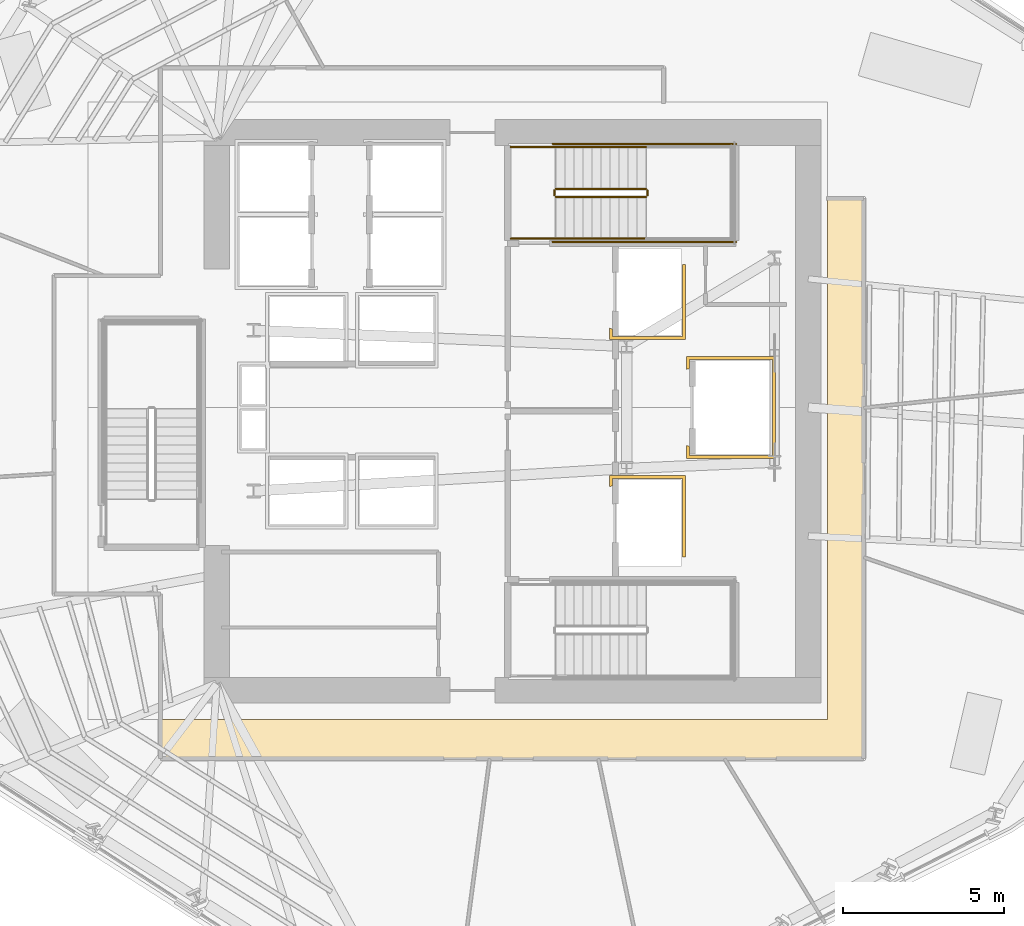
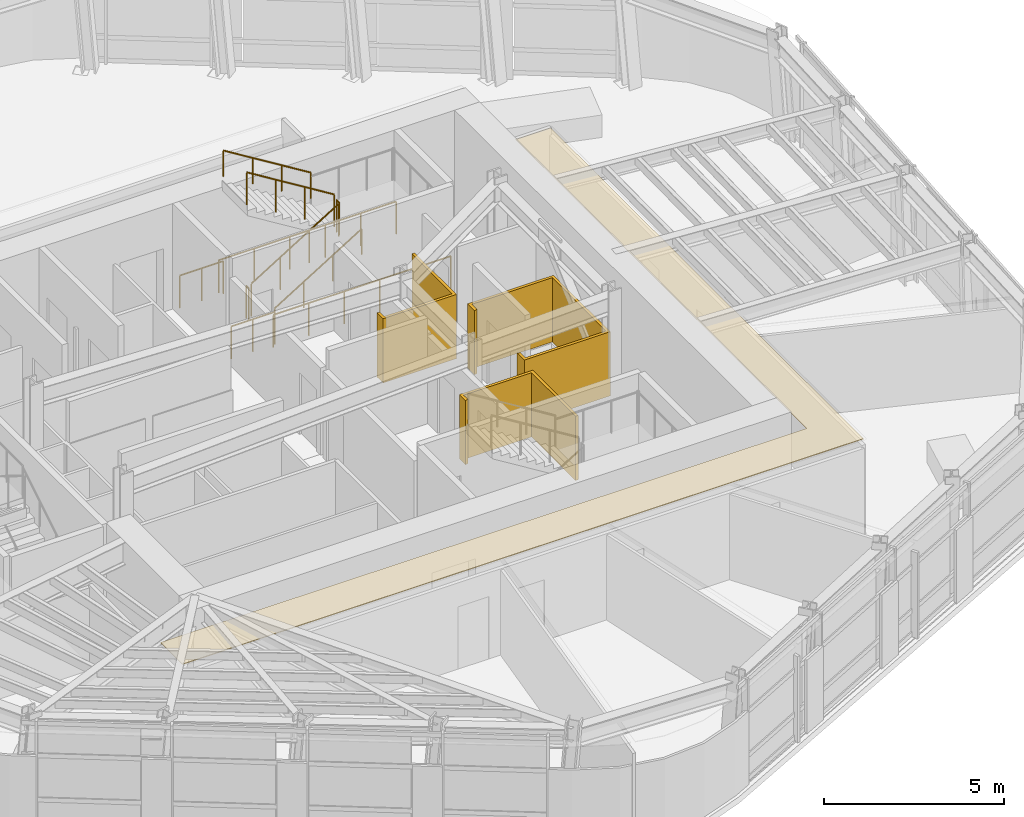
# One storey, part 12 of 14: 10 railings, 4 coverings.
"""IFC4 building model written with IfcOpenShell, lengths in metres."""

from ifc_helpers import new_model, si_unit, direction, frame, origin, origin_2d, place, context, subcontext, project, spatial, polyline, circle, outline, extrude, material, layer, layer_set, type_object, element, save


model = new_model("IFC4")

# Units and contexts
model_context = context("Model", 3, precision=1e-05, world=origin(), true_north=direction((0.0, 1.0)))
body_context = subcontext(model_context, "Body", "Model", "MODEL_VIEW")
ifc_project = project(units=[si_unit("LENGTHUNIT", "METRE"), si_unit("AREAUNIT", "SQUARE_METRE"), si_unit("VOLUMEUNIT", "CUBIC_METRE"), si_unit("PLANEANGLEUNIT", "RADIAN"), si_unit("MASSUNIT", "GRAM", prefix="KILO")], contexts=[model_context])

# Site, building, storey
site_placement = place(None, origin())
site = spatial("IfcSite", under=ifc_project, at=site_placement, CompositionType="ELEMENT")
building_placement = place(site_placement, origin())
building = spatial("IfcBuilding", under=site, at=building_placement, Name="Valkerne Bourse Tower", CompositionType="ELEMENT")
storey_placement = place(building_placement, frame((0.0, 0.0, 140.0)))
storey = spatial("IfcBuildingStorey", under=building, at=storey_placement, Name="L35", CompositionType="ELEMENT", Elevation=140.0)

# Coverings
ifc_material_1 = material(Name="Bronze Anodised Aluminium AA 6063-T6", Category="aluminium")
ifc_layer_1 = layer(ifc_material_1, 0.030029296875)
ifc_layer_set_1 = layer_set([ifc_layer_1], Name="Bronze Anodised Aluminium AA 6063-T6")
covering_type_1 = type_object("IfcCoveringType", Name="COV-CEIL-METAL", PredefinedType="CEILING", material=ifc_layer_set_1)
covering_1_placement = place(storey_placement, frame((0.0, 0.0, 3.22998046875)))
element("IfcCovering", 1, at=covering_1_placement, inside=storey, type_object=covering_type_1, Name="L35 Suspended Ceiling 01", PredefinedType="CEILING", context=body_context, shape_type="SweptSolid", body=[
    extrude(outline(polyline([(35.85400390625, 17.300048828125), (56.60009765625, 17.300048828125), (56.60009765625, 33.49609375), (57.716064453125, 33.49609375), (57.716064453125, 16.083984375), (35.85400390625, 16.083984375), (35.85400390625, 17.300048828125)])), origin(), (0.0, 0.0, 1.0), 0.02490234375),
])
ifc_material_2 = material(Name="Gypsum Shaftwall Liner Board", Category="gypsum")
ifc_layer_2 = layer(ifc_material_2, 0.080078125)
ifc_layer_set_2 = layer_set([ifc_layer_2], Name="Gypsum Shaftwall Liner Board")
covering_type_2 = type_object("IfcCoveringType", Name="COV-SHF-CLAD", PredefinedType="CLADDING", material=ifc_layer_set_2)
covering_2_placement = place(storey_placement, origin())
element("IfcCovering", 2, at=covering_2_placement, inside=storey, type_object=covering_type_2, Name="L35 Hoistway & Riser Shaftwall Liner 05", PredefinedType="CLADDING", context=body_context, shape_type="SweptSolid", body=[
    extrude(outline(polyline([(52.179931640625, 22.35009765625), (52.090087890625, 22.35009765625), (52.090087890625, 24.7900390625), (49.909912109375, 24.7900390625), (49.909912109375, 24.560791015625), (49.869384765625, 24.550537109375), (49.827880859375, 24.53564453125), (49.820068359375, 24.531982421875), (49.820068359375, 24.8798828125), (52.179931640625, 24.8798828125), (52.179931640625, 22.35009765625)])), origin(), (0.0, 0.0, 1.0), 2.179931640625),
])
covering_3_placement = place(storey_placement, origin())
element("IfcCovering", 3, at=covering_3_placement, inside=storey, type_object=covering_type_2, Name="L35 Hoistway & Riser Shaftwall Liner 06", PredefinedType="CLADDING", context=body_context, shape_type="SweptSolid", body=[
    extrude(outline(polyline([(54.97998046875, 25.419921875), (52.219970703125, 25.419921875), (52.219970703125, 25.81787109375), (52.227783203125, 25.814208984375), (52.269287109375, 25.79931640625), (52.31005859375, 25.789306640625), (52.31005859375, 25.510009765625), (54.889892578125, 25.510009765625), (54.889892578125, 28.489990234375), (52.31005859375, 28.489990234375), (52.31005859375, 28.210693359375), (52.269287109375, 28.20068359375), (52.227783203125, 28.185791015625), (52.219970703125, 28.18212890625), (52.219970703125, 28.580078125), (54.97998046875, 28.580078125), (54.97998046875, 25.419921875)])), origin(), (0.0, 0.0, 1.0), 2.179931640625),
])
covering_4_placement = place(storey_placement, origin())
element("IfcCovering", 4, at=covering_4_placement, inside=storey, type_object=covering_type_2, Name="L35 Hoistway & Riser Shaftwall Liner 08", PredefinedType="CLADDING", context=body_context, shape_type="SweptSolid", body=[
    extrude(outline(polyline([(49.820068359375, 29.1201171875), (49.820068359375, 29.468017578125), (49.827880859375, 29.46435546875), (49.869384765625, 29.449462890625), (49.909912109375, 29.439208984375), (49.909912109375, 29.2099609375), (52.090087890625, 29.2099609375), (52.090087890625, 31.449951171875), (52.179931640625, 31.449951171875), (52.179931640625, 29.1201171875), (49.820068359375, 29.1201171875)])), origin(), (0.0, 0.0, 1.0), 2.179931640625),
])

# Railings
ifc_material_3 = material(Name="Galvanised Painted Steel", Category="steel")
railing_type_1 = type_object("IfcRailingType", Name="RLG-ST-GUARD-1120", PredefinedType="GUARDRAIL", material=ifc_material_3)
railing_1_placement = place(storey_placement, frame((48.14990234375, 33.550048828125, 0.172607421875)))
element("IfcRailing", 5, at=railing_1_placement, inside=storey, type_object=railing_type_1, Name="L35 ST-2 stair guard 1", PredefinedType="GUARDRAIL", context=body_context, shape_type="SweptSolid", body=[
    extrude(circle(Radius=0.02392578125, at=origin_2d()), frame((0.0, 0.0, 1.09619140625), z_axis=(0.851089632645, 0.0, 0.525020415988), x_axis=(0.0, 1.0, 0.0)), (0.0, 0.0, 1.0), 3.2900390625),
    extrude(circle(Radius=0.02099609375, at=origin_2d()), origin(), (0.0, 0.0, 1.0), 1.072021484375),
    extrude(circle(Radius=0.02099609375, at=origin_2d()), frame((0.933349609375, 0.0, 0.57568359375)), (0.0, 0.0, 1.0), 1.072021484375),
    extrude(circle(Radius=0.02099609375, at=origin_2d()), frame((1.86669921875, 0.0, 1.151611328125)), (0.0, 0.0, 1.0), 1.072021484375),
    extrude(circle(Radius=0.02099609375, at=origin_2d()), frame((2.800048828125, 0.0, 1.727294921875)), (0.0, 0.0, 1.0), 1.072021484375),
])
railing_2_placement = place(storey_placement, frame((51.0, 33.60009765625, 1.89990234375)))
element("IfcRailing", 6, at=railing_2_placement, inside=storey, type_object=railing_type_1, Name="L35 ST-2 stair guard 2", PredefinedType="GUARDRAIL", context=body_context, shape_type="SweptSolid", body=[
    extrude(circle(Radius=0.02392578125, at=origin_2d()), frame((0.0, 0.0, 1.09619140625), z_axis=(0.0, 1.0, 0.0), x_axis=(-1.0, 0.0, 0.0)), (0.0, 0.0, 1.0), 0.14990234375),
    extrude(circle(Radius=0.02099609375, at=origin_2d()), origin(), (0.0, 0.0, 1.0), 1.072021484375),
    extrude(circle(Radius=0.02099609375, at=origin_2d()), frame((0.0, 0.14990234375, 0.0)), (0.0, 0.0, 1.0), 1.072021484375),
])
railing_3_placement = place(storey_placement, frame((50.949951171875, 33.800048828125, 2.07275390625)))
element("IfcRailing", 7, at=railing_3_placement, inside=storey, type_object=railing_type_1, Name="L35 ST-2 stair guard 6", PredefinedType="GUARDRAIL", context=body_context, shape_type="SweptSolid", body=[
    extrude(circle(Radius=0.02392578125, at=origin_2d()), frame((0.0, 0.0, 1.09619140625), z_axis=(-0.851089632645, 0.0, 0.525020415988), x_axis=(0.0, -1.0, 0.0)), (0.0, 0.0, 1.0), 3.2900390625),
    extrude(circle(Radius=0.02099609375, at=origin_2d()), origin(), (0.0, 0.0, 1.0), 1.072021484375),
    extrude(circle(Radius=0.02099609375, at=origin_2d()), frame((-0.933349609375, 0.0, 0.57568359375)), (0.0, 0.0, 1.0), 1.072021484375),
    extrude(circle(Radius=0.02099609375, at=origin_2d()), frame((-1.86669921875, 0.0, 1.151611328125)), (0.0, 0.0, 1.0), 1.072021484375),
    extrude(circle(Radius=0.02099609375, at=origin_2d()), frame((-2.800048828125, 0.0, 1.727294921875)), (0.0, 0.0, 1.0), 1.072021484375),
])
railing_4_placement = place(storey_placement, frame((48.10009765625, 33.60009765625, 0.0)))
element("IfcRailing", 8, at=railing_4_placement, inside=storey, type_object=railing_type_1, Name="L35 ST-2 stair guard 7", PredefinedType="GUARDRAIL", context=body_context, shape_type="SweptSolid", body=[
    extrude(circle(Radius=0.02392578125, at=origin_2d()), frame((0.0, 0.0, 1.09619140625), z_axis=(0.0, 1.0, 0.0), x_axis=(-1.0, 0.0, 0.0)), (0.0, 0.0, 1.0), 0.14990234375),
    extrude(circle(Radius=0.02099609375, at=origin_2d()), origin(), (0.0, 0.0, 1.0), 1.072021484375),
    extrude(circle(Radius=0.02099609375, at=origin_2d()), frame((0.0, 0.14990234375, 0.0)), (0.0, 0.0, 1.0), 1.072021484375),
])
for number, where, name in (
    (9, (46.75, 32.25, 0.0), "L35 ST-2 stair guard 8"),
    (10, (46.75, 35.10009765625, 0.0), "L35 ST-2 stair guard 9"),
):
    element("IfcRailing", number, at=place(storey_placement, frame(where)), inside=storey, type_object=railing_type_1, Name=name, PredefinedType="GUARDRAIL", context=body_context, shape_type="SweptSolid", body=[
        extrude(circle(Radius=0.02392578125, at=origin_2d()), frame((0.0, 0.0, 1.09619140625), z_axis=(1.0, 0.0, 0.0), x_axis=(0.0, 1.0, 0.0)), (0.0, 0.0, 1.0), 1.39990234375),
        extrude(circle(Radius=0.02099609375, at=origin_2d()), origin(), (0.0, 0.0, 1.0), 1.072021484375),
        extrude(circle(Radius=0.02099609375, at=origin_2d()), frame((0.699951171875, 0.0, 0.0)), (0.0, 0.0, 1.0), 1.072021484375),
        extrude(circle(Radius=0.02099609375, at=origin_2d()), frame((1.39990234375, 0.0, 0.0)), (0.0, 0.0, 1.0), 1.072021484375),
    ])
for number, where, name in (
    (11, (48.050048828125, 32.14990234375, 0.0), "L35 ST-2 stair guard 10"),
    (12, (48.050048828125, 35.199951171875, 0.0), "L35 ST-2 stair guard 11"),
):
    element("IfcRailing", number, at=place(storey_placement, frame(where)), inside=storey, type_object=railing_type_1, Name=name, PredefinedType="GUARDRAIL", context=body_context, shape_type="SweptSolid", body=[
        extrude(circle(Radius=0.02392578125, at=origin_2d()), frame((0.0, 0.0, 1.09619140625), z_axis=(1.0, 0.0, 0.0), x_axis=(0.0, 1.0, 0.0)), (0.0, 0.0, 1.0), 5.699951171875),
        extrude(circle(Radius=0.02099609375, at=origin_2d()), origin(), (0.0, 0.0, 1.0), 1.072021484375),
        extrude(circle(Radius=0.02099609375, at=origin_2d()), frame((1.139892578125, 0.0, 0.0)), (0.0, 0.0, 1.0), 1.072021484375),
        extrude(circle(Radius=0.02099609375, at=origin_2d()), frame((2.280029296875, 0.0, 0.0)), (0.0, 0.0, 1.0), 1.072021484375),
        extrude(circle(Radius=0.02099609375, at=origin_2d()), frame((3.419921875, 0.0, 0.0)), (0.0, 0.0, 1.0), 1.072021484375),
        extrude(circle(Radius=0.02099609375, at=origin_2d()), frame((4.56005859375, 0.0, 0.0)), (0.0, 0.0, 1.0), 1.072021484375),
        extrude(circle(Radius=0.02099609375, at=origin_2d()), frame((5.699951171875, 0.0, 0.0)), (0.0, 0.0, 1.0), 1.072021484375),
    ])
ifc_material_4 = material(Name="Stainless Steel AISI 316", Category="steel")
railing_type_2 = type_object("IfcRailingType", Name="RLG-ST-HANDRAIL-900", PredefinedType="HANDRAIL", material=ifc_material_4)
railing_5_placement = place(storey_placement, frame((48.14990234375, 32.25, 0.345458984375)))
element("IfcRailing", 13, at=railing_5_placement, inside=storey, type_object=railing_type_2, Name="L35 ST-2 stair handrail 1", PredefinedType="HANDRAIL", context=body_context, shape_type="SweptSolid", body=[
    extrude(circle(Radius=0.02392578125, at=origin_2d()), frame((0.0, 0.0, 0.8759765625), z_axis=(0.851089632645, 0.0, 0.525020415988), x_axis=(0.0, 1.0, 0.0)), (0.0, 0.0, 1.0), 3.2900390625),
    extrude(circle(Radius=0.02099609375, at=origin_2d()), origin(), (0.0, 0.0, 1.0), 0.851806640625),
    extrude(circle(Radius=0.02099609375, at=origin_2d()), frame((0.933349609375, 0.0, 0.57568359375)), (0.0, 0.0, 1.0), 0.851806640625),
    extrude(circle(Radius=0.02099609375, at=origin_2d()), frame((1.86669921875, 0.0, 1.151611328125)), (0.0, 0.0, 1.0), 0.851806640625),
    extrude(circle(Radius=0.02099609375, at=origin_2d()), frame((2.800048828125, 0.0, 1.727294921875)), (0.0, 0.0, 1.0), 0.851806640625),
])
railing_6_placement = place(storey_placement, frame((50.949951171875, 35.10009765625, 2.245361328125)))
element("IfcRailing", 14, at=railing_6_placement, inside=storey, type_object=railing_type_2, Name="L35 ST-2 stair handrail 2", PredefinedType="HANDRAIL", context=body_context, shape_type="SweptSolid", body=[
    extrude(circle(Radius=0.02392578125, at=origin_2d()), frame((0.0, 0.0, 0.8759765625), z_axis=(-0.851089632645, 0.0, 0.525020415988), x_axis=(0.0, -1.0, 0.0)), (0.0, 0.0, 1.0), 3.2900390625),
    extrude(circle(Radius=0.02099609375, at=origin_2d()), origin(), (0.0, 0.0, 1.0), 0.851806640625),
    extrude(circle(Radius=0.02099609375, at=origin_2d()), frame((-0.933349609375, 0.0, 0.57568359375)), (0.0, 0.0, 1.0), 0.851806640625),
    extrude(circle(Radius=0.02099609375, at=origin_2d()), frame((-1.86669921875, 0.0, 1.151611328125)), (0.0, 0.0, 1.0), 0.851806640625),
    extrude(circle(Radius=0.02099609375, at=origin_2d()), frame((-2.800048828125, 0.0, 1.727294921875)), (0.0, 0.0, 1.0), 0.851806640625),
])

save(model, "model.ifc")
